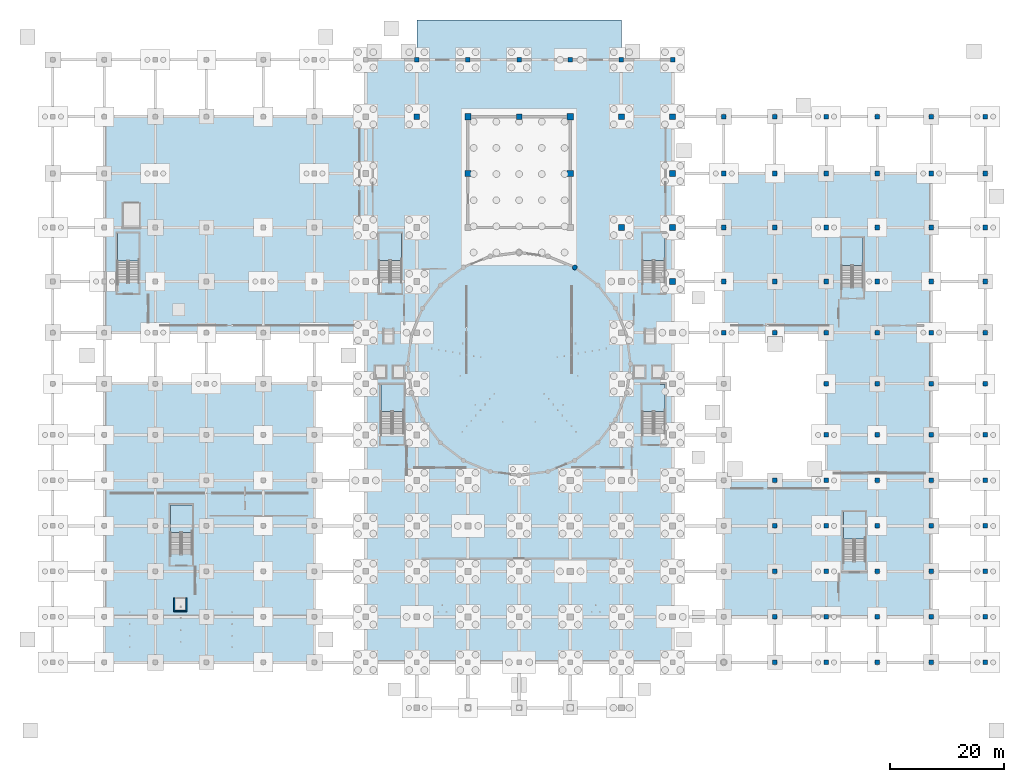
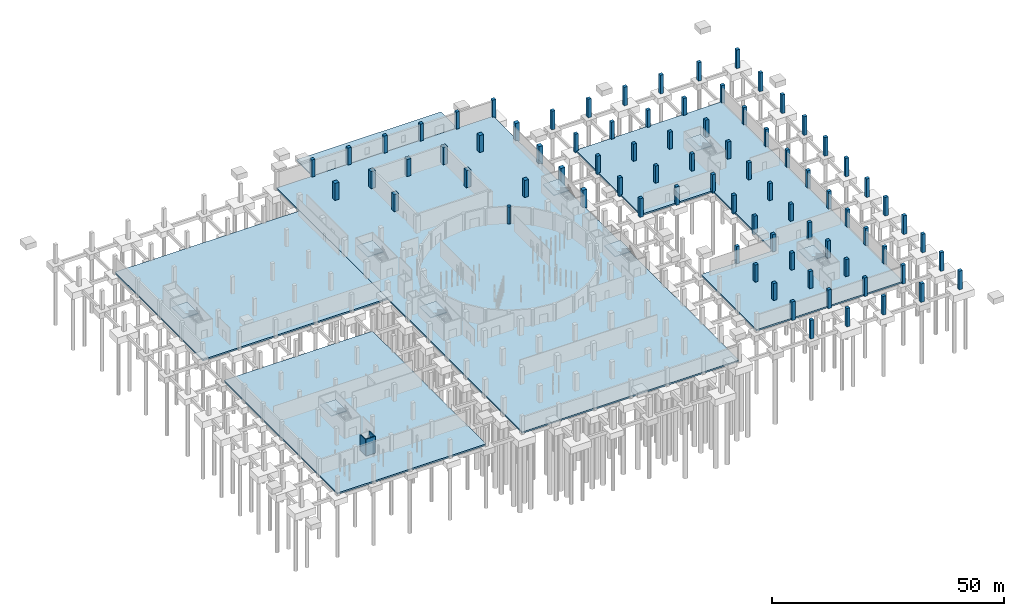
# One storey, part 26 of 40: 82 columns, 13 slabs, 3 walls, 8 elements without a shape of their own.
"""IFC4 building model written with IfcOpenShell, lengths in metres."""

from ifc_helpers import new_model, si_unit, direction, frame, frame_2d, origin, origin_2d, place, context, subcontext, project, spatial, polyline, rectangle, circle, outline, extrude, material, layer, layer_set, material_profile, profile_set, type_object, element, aggregate, save


model = new_model("IFC4")

# Units and contexts
model_context = context("Model", 3, precision=1e-05, world=origin(), true_north=direction((0.0, 1.0)))
body_context = subcontext(model_context, "Body", "Model", "MODEL_VIEW")
ifc_project = project(units=[si_unit("LENGTHUNIT", "METRE"), si_unit("AREAUNIT", "SQUARE_METRE"), si_unit("VOLUMEUNIT", "CUBIC_METRE"), si_unit("PLANEANGLEUNIT", "RADIAN"), si_unit("MASSUNIT", "GRAM", prefix="KILO")], contexts=[model_context])

# Site, building, storey
site_placement = place(None, origin())
site = spatial("IfcSite", under=ifc_project, at=site_placement, CompositionType="ELEMENT")
building_placement = place(site_placement, origin())
building = spatial("IfcBuilding", under=site, at=building_placement, Name="Marnock Terrace Opera House", CompositionType="ELEMENT")
storey_placement = place(building_placement, frame((0.0, 0.0, -4.800048828125)))
storey = spatial("IfcBuildingStorey", under=building, at=storey_placement, Name="B1", CompositionType="ELEMENT", Elevation=-4.800048828125)

# Columns
ifc_material_1 = material(Name="Concrete N50 (f'c = 50 MPa)", Category="concrete")
ifc_material_profile_1 = material_profile(ifc_material_1, circle(Radius=0.425048828125, at=origin_2d()))
ifc_profile_set_1 = profile_set([ifc_material_profile_1], Name="Concrete N50 (f'c = 50 MPa)")
column_type_1 = type_object("IfcColumnType", Name="COL-DRUM-850", PredefinedType="COLUMN", material=ifc_profile_set_1)
column_placement = place(storey_placement, frame((91.800048828125, 77.47412109375, -0.39990234375), z_axis=(0.0, 0.0, 1.0), x_axis=(1.0, 0.0, 0.0)))
element("IfcColumn", 1, at=column_placement, inside=storey, type_object=column_type_1, Name="B1 auditorium drum pier 5", PredefinedType="COLUMN", context=body_context, shape_type="SweptSolid", body=[
    extrude(circle(Radius=0.425048828125, at=origin_2d()), origin(), (0.0, 0.0, 1.0), 4.89990234375),
])
ifc_material_profile_2 = material_profile(ifc_material_1, rectangle(XDim=1.0, YDim=1.0, at=origin_2d()))
ifc_profile_set_2 = profile_set([ifc_material_profile_2], Name="Concrete N50 (f'c = 50 MPa)")
column_type_2 = type_object("IfcColumnType", Name="COL-RC1000", PredefinedType="COLUMN", material=ifc_profile_set_2)
for number, where, z_axis, x_axis, name in (
    (2, (64.0, 104.0, -0.39990234375), (0.0, 0.0, 1.0), (1.0, 0.0, 0.0), "B1 column at (64.0, 104.0)"),
    (3, (82.0, 104.0, -0.39990234375), (0.0, 0.0, 1.0), (1.0, 0.0, 0.0), "B1 column at (82.0, 104.0)"),
    (4, (100.0, 84.5, -0.39990234375), (0.0, 0.0, 1.0), (1.0, 0.0, 0.0), "B1 column at (100.0, 84.5)"),
    (5, (100.0, 104.0, -0.39990234375), (0.0, 0.0, 1.0), (1.0, 0.0, 0.0), "B1 column at (100.0, 104.0)"),
    (6, (109.0, 75.0, -0.39990234375), (0.0, 0.0, 1.0), (1.0, 0.0, 0.0), "B1 column at (109.0, 75.0)"),
    (7, (109.0, 84.5, -0.39990234375), (0.0, 0.0, 1.0), (1.0, 0.0, 0.0), "B1 column at (109.0, 84.5)"),
    (8, (109.0, 94.0, -0.39990234375), (0.0, 0.0, 1.0), (1.0, 0.0, 0.0), "B1 column at (109.0, 94.0)"),
    (9, (109.0, 104.0, -0.39990234375), (0.0, 0.0, 1.0), (1.0, 0.0, 0.0), "B1 column at (109.0, 104.0)"),
):
    element("IfcColumn", number, at=place(storey_placement, frame(where, z_axis=z_axis, x_axis=x_axis)), inside=storey, type_object=column_type_2, Name=name, PredefinedType="COLUMN", context=body_context, shape_type="SweptSolid", body=[
        extrude(rectangle(XDim=1.0, YDim=1.0, at=origin_2d()), origin(), (0.0, 0.0, 1.0), 4.89990234375),
    ])
ifc_material_profile_3 = material_profile(ifc_material_1, rectangle(XDim=1.10009765625, YDim=1.10009765625, at=origin_2d()))
ifc_profile_set_3 = profile_set([ifc_material_profile_3], Name="Concrete N50 (f'c = 50 MPa)")
column_type_3 = type_object("IfcColumnType", Name="COL-RC1100", PredefinedType="COLUMN", material=ifc_profile_set_3)
for number, where, z_axis, x_axis, name in (
    (10, (73.0, 94.0, -0.39990234375), (0.0, 0.0, 1.0), (1.0, 0.0, 0.0), "B1 column at (73.0, 94.0)"),
    (11, (73.0, 104.0, -0.39990234375), (0.0, 0.0, 1.0), (1.0, 0.0, 0.0), "B1 column at (73.0, 104.0)"),
    (12, (91.0, 94.0, -0.39990234375), (0.0, 0.0, 1.0), (1.0, 0.0, 0.0), "B1 column at (91.0, 94.0)"),
    (13, (91.0, 104.0, -0.39990234375), (0.0, 0.0, 1.0), (1.0, 0.0, 0.0), "B1 column at (91.0, 104.0)"),
):
    element("IfcColumn", number, at=place(storey_placement, frame(where, z_axis=z_axis, x_axis=x_axis)), inside=storey, type_object=column_type_3, Name=name, PredefinedType="COLUMN", context=body_context, shape_type="SweptSolid", body=[
        extrude(rectangle(XDim=1.10009765625, YDim=1.10009765625, at=origin_2d()), origin(), (0.0, 0.0, 1.0), 4.89990234375),
    ])
ifc_material_profile_4 = material_profile(ifc_material_1, rectangle(XDim=0.800048828125, YDim=0.800048828125, at=origin_2d()))
ifc_profile_set_4 = profile_set([ifc_material_profile_4], Name="Concrete N50 (f'c = 50 MPa)")
column_type_4 = type_object("IfcColumnType", Name="COL-RC800", PredefinedType="COLUMN", material=ifc_profile_set_4)
for number, where, z_axis, x_axis, name in (
    (14, (64.0, 114.0, -0.39990234375), (0.0, 0.0, 1.0), (1.0, 0.0, 0.0), "B1 column at (64.0, 114.0)"),
    (15, (73.0, 114.0, -0.39990234375), (0.0, 0.0, 1.0), (1.0, 0.0, 0.0), "B1 column at (73.0, 114.0)"),
    (16, (82.0, 114.0, -0.39990234375), (0.0, 0.0, 1.0), (1.0, 0.0, 0.0), "B1 column at (82.0, 114.0)"),
    (17, (91.0, 114.0, -0.39990234375), (0.0, 0.0, 1.0), (1.0, 0.0, 0.0), "B1 column at (91.0, 114.0)"),
    (18, (100.0, 114.0, -0.39990234375), (0.0, 0.0, 1.0), (1.0, 0.0, 0.0), "B1 column at (100.0, 114.0)"),
    (19, (109.0, 114.0, -0.39990234375), (0.0, 0.0, 1.0), (1.0, 0.0, 0.0), "B1 column at (109.0, 114.0)"),
    (20, (118.0, 66.0, -0.39990234375), (0.0, 0.0, 1.0), (1.0, 0.0, 0.0), "B1 column at (118.0, 66.0)"),
    (21, (118.0, 75.0, -0.39990234375), (0.0, 0.0, 1.0), (1.0, 0.0, 0.0), "B1 column at (118.0, 75.0)"),
    (22, (118.0, 84.5, -0.39990234375), (0.0, 0.0, 1.0), (1.0, 0.0, 0.0), "B1 column at (118.0, 84.5)"),
    (23, (118.0, 94.0, -0.39990234375), (0.0, 0.0, 1.0), (1.0, 0.0, 0.0), "B1 column at (118.0, 94.0)"),
    (24, (118.0, 104.0, -0.39990234375), (0.0, 0.0, 1.0), (1.0, 0.0, 0.0), "B1 column at (118.0, 104.0)"),
    (25, (127.0, 8.0, -0.39990234375), (0.0, 0.0, 1.0), (1.0, 0.0, 0.0), "B1 column at (127.0, 8.0)"),
    (26, (127.0, 16.0, -0.39990234375), (0.0, 0.0, 1.0), (1.0, 0.0, 0.0), "B1 column at (127.0, 16.0)"),
    (27, (127.0, 24.0, -0.39990234375), (0.0, 0.0, 1.0), (1.0, 0.0, 0.0), "B1 column at (127.0, 24.0)"),
    (28, (127.0, 32.0, -0.39990234375), (0.0, 0.0, 1.0), (1.0, 0.0, 0.0), "B1 column at (127.0, 32.0)"),
    (29, (127.0, 40.0, -0.39990234375), (0.0, 0.0, 1.0), (1.0, 0.0, 0.0), "B1 column at (127.0, 40.0)"),
    (30, (127.0, 66.0, -0.39990234375), (0.0, 0.0, 1.0), (1.0, 0.0, 0.0), "B1 column at (127.0, 66.0)"),
    (31, (127.0, 75.0, -0.39990234375), (0.0, 0.0, 1.0), (1.0, 0.0, 0.0), "B1 column at (127.0, 75.0)"),
    (32, (127.0, 84.5, -0.39990234375), (0.0, 0.0, 1.0), (1.0, 0.0, 0.0), "B1 column at (127.0, 84.5)"),
    (33, (127.0, 94.0, -0.39990234375), (0.0, 0.0, 1.0), (1.0, 0.0, 0.0), "B1 column at (127.0, 94.0)"),
    (34, (127.0, 104.0, -0.39990234375), (0.0, 0.0, 1.0), (1.0, 0.0, 0.0), "B1 column at (127.0, 104.0)"),
    (35, (136.0, 8.0, -0.39990234375), (0.0, 0.0, 1.0), (1.0, 0.0, 0.0), "B1 column at (136.0, 8.0)"),
    (36, (136.0, 16.0, -0.39990234375), (0.0, 0.0, 1.0), (1.0, 0.0, 0.0), "B1 column at (136.0, 16.0)"),
    (37, (136.0, 24.0, -0.39990234375), (0.0, 0.0, 1.0), (1.0, 0.0, 0.0), "B1 column at (136.0, 24.0)"),
    (38, (136.0, 32.0, -0.39990234375), (0.0, 0.0, 1.0), (1.0, 0.0, 0.0), "B1 column at (136.0, 32.0)"),
    (39, (136.0, 40.0, -0.39990234375), (0.0, 0.0, 1.0), (1.0, 0.0, 0.0), "B1 column at (136.0, 40.0)"),
    (40, (136.0, 48.0, -0.39990234375), (0.0, 0.0, 1.0), (1.0, 0.0, 0.0), "B1 column at (136.0, 48.0)"),
    (41, (136.0, 57.0, -0.39990234375), (0.0, 0.0, 1.0), (1.0, 0.0, 0.0), "B1 column at (136.0, 57.0)"),
    (42, (136.0, 66.0, -0.39990234375), (0.0, 0.0, 1.0), (1.0, 0.0, 0.0), "B1 column at (136.0, 66.0)"),
    (43, (136.0, 75.0, -0.39990234375), (0.0, 0.0, 1.0), (1.0, 0.0, 0.0), "B1 column at (136.0, 75.0)"),
    (44, (136.0, 84.5, -0.39990234375), (0.0, 0.0, 1.0), (1.0, 0.0, 0.0), "B1 column at (136.0, 84.5)"),
    (45, (136.0, 94.0, -0.39990234375), (0.0, 0.0, 1.0), (1.0, 0.0, 0.0), "B1 column at (136.0, 94.0)"),
    (46, (136.0, 104.0, -0.39990234375), (0.0, 0.0, 1.0), (1.0, 0.0, 0.0), "B1 column at (136.0, 104.0)"),
    (47, (145.0, 8.0, -0.39990234375), (0.0, 0.0, 1.0), (1.0, 0.0, 0.0), "B1 column at (145.0, 8.0)"),
    (48, (145.0, 16.0, -0.39990234375), (0.0, 0.0, 1.0), (1.0, 0.0, 0.0), "B1 column at (145.0, 16.0)"),
    (49, (145.0, 24.0, -0.39990234375), (0.0, 0.0, 1.0), (1.0, 0.0, 0.0), "B1 column at (145.0, 24.0)"),
    (50, (145.0, 32.0, -0.39990234375), (0.0, 0.0, 1.0), (1.0, 0.0, 0.0), "B1 column at (145.0, 32.0)"),
    (51, (145.0, 40.0, -0.39990234375), (0.0, 0.0, 1.0), (1.0, 0.0, 0.0), "B1 column at (145.0, 40.0)"),
    (52, (145.0, 48.0, -0.39990234375), (0.0, 0.0, 1.0), (1.0, 0.0, 0.0), "B1 column at (145.0, 48.0)"),
    (53, (145.0, 57.0, -0.39990234375), (0.0, 0.0, 1.0), (1.0, 0.0, 0.0), "B1 column at (145.0, 57.0)"),
    (54, (145.0, 66.0, -0.39990234375), (0.0, 0.0, 1.0), (1.0, 0.0, 0.0), "B1 column at (145.0, 66.0)"),
    (55, (145.0, 75.0, -0.39990234375), (0.0, 0.0, 1.0), (1.0, 0.0, 0.0), "B1 column at (145.0, 75.0)"),
    (56, (145.0, 84.5, -0.39990234375), (0.0, 0.0, 1.0), (1.0, 0.0, 0.0), "B1 column at (145.0, 84.5)"),
    (57, (145.0, 94.0, -0.39990234375), (0.0, 0.0, 1.0), (1.0, 0.0, 0.0), "B1 column at (145.0, 94.0)"),
    (58, (145.0, 104.0, -0.39990234375), (0.0, 0.0, 1.0), (1.0, 0.0, 0.0), "B1 column at (145.0, 104.0)"),
    (59, (154.5, 8.0, -0.39990234375), (0.0, 0.0, 1.0), (1.0, 0.0, 0.0), "B1 column at (154.5, 8.0)"),
    (60, (154.5, 16.0, -0.39990234375), (0.0, 0.0, 1.0), (1.0, 0.0, 0.0), "B1 column at (154.5, 16.0)"),
    (61, (154.5, 24.0, -0.39990234375), (0.0, 0.0, 1.0), (1.0, 0.0, 0.0), "B1 column at (154.5, 24.0)"),
    (62, (154.5, 32.0, -0.39990234375), (0.0, 0.0, 1.0), (1.0, 0.0, 0.0), "B1 column at (154.5, 32.0)"),
    (63, (154.5, 40.0, -0.39990234375), (0.0, 0.0, 1.0), (1.0, 0.0, 0.0), "B1 column at (154.5, 40.0)"),
    (64, (154.5, 48.0, -0.39990234375), (0.0, 0.0, 1.0), (1.0, 0.0, 0.0), "B1 column at (154.5, 48.0)"),
    (65, (154.5, 57.0, -0.39990234375), (0.0, 0.0, 1.0), (1.0, 0.0, 0.0), "B1 column at (154.5, 57.0)"),
    (66, (154.5, 66.0, -0.39990234375), (0.0, 0.0, 1.0), (1.0, 0.0, 0.0), "B1 column at (154.5, 66.0)"),
    (67, (154.5, 75.0, -0.39990234375), (0.0, 0.0, 1.0), (1.0, 0.0, 0.0), "B1 column at (154.5, 75.0)"),
    (68, (154.5, 84.5, -0.39990234375), (0.0, 0.0, 1.0), (1.0, 0.0, 0.0), "B1 column at (154.5, 84.5)"),
    (69, (154.5, 94.0, -0.39990234375), (0.0, 0.0, 1.0), (1.0, 0.0, 0.0), "B1 column at (154.5, 94.0)"),
    (70, (154.5, 104.0, -0.39990234375), (0.0, 0.0, 1.0), (1.0, 0.0, 0.0), "B1 column at (154.5, 104.0)"),
    (71, (164.0, 8.0, -0.39990234375), (0.0, 0.0, 1.0), (1.0, 0.0, 0.0), "B1 column at (164.0, 8.0)"),
    (72, (164.0, 16.0, -0.39990234375), (0.0, 0.0, 1.0), (1.0, 0.0, 0.0), "B1 column at (164.0, 16.0)"),
    (73, (164.0, 24.0, -0.39990234375), (0.0, 0.0, 1.0), (1.0, 0.0, 0.0), "B1 column at (164.0, 24.0)"),
    (74, (164.0, 32.0, -0.39990234375), (0.0, 0.0, 1.0), (1.0, 0.0, 0.0), "B1 column at (164.0, 32.0)"),
    (75, (164.0, 40.0, -0.39990234375), (0.0, 0.0, 1.0), (1.0, 0.0, 0.0), "B1 column at (164.0, 40.0)"),
    (76, (164.0, 48.0, -0.39990234375), (0.0, 0.0, 1.0), (1.0, 0.0, 0.0), "B1 column at (164.0, 48.0)"),
    (77, (164.0, 57.0, -0.39990234375), (0.0, 0.0, 1.0), (1.0, 0.0, 0.0), "B1 column at (164.0, 57.0)"),
    (78, (164.0, 66.0, -0.39990234375), (0.0, 0.0, 1.0), (1.0, 0.0, 0.0), "B1 column at (164.0, 66.0)"),
    (79, (164.0, 75.0, -0.39990234375), (0.0, 0.0, 1.0), (1.0, 0.0, 0.0), "B1 column at (164.0, 75.0)"),
    (80, (164.0, 84.5, -0.39990234375), (0.0, 0.0, 1.0), (1.0, 0.0, 0.0), "B1 column at (164.0, 84.5)"),
    (81, (164.0, 94.0, -0.39990234375), (0.0, 0.0, 1.0), (1.0, 0.0, 0.0), "B1 column at (164.0, 94.0)"),
    (82, (164.0, 104.0, -0.39990234375), (0.0, 0.0, 1.0), (1.0, 0.0, 0.0), "B1 column at (164.0, 104.0)"),
):
    element("IfcColumn", number, at=place(storey_placement, frame(where, z_axis=z_axis, x_axis=x_axis)), inside=storey, type_object=column_type_4, Name=name, PredefinedType="COLUMN", context=body_context, shape_type="SweptSolid", body=[
        extrude(rectangle(XDim=0.800048828125, YDim=0.800048828125, at=origin_2d()), origin(), (0.0, 0.0, 1.0), 4.89990234375),
    ])

# Slabs
ifc_material_2 = material(Name="Concrete N32 (f'c = 32 MPa)", Category="concrete")
ifc_layer_1 = layer(ifc_material_2, 0.239990234375)
ifc_layer_set_1 = layer_set([ifc_layer_1], Name="Concrete N32 (f'c = 32 MPa)")
slab_type_1 = type_object("IfcSlabType", Name="SL-APRON-240", PredefinedType="BASESLAB", material=ifc_layer_set_1)
slab_1_placement = place(storey_placement, frame((0.0, 0.0, -0.239990234375)))
element("IfcSlab", 83, at=slab_1_placement, inside=storey, type_object=slab_type_1, Name="North parklands sunken lower promenade court", PredefinedType="BASESLAB", context=body_context, shape_type="SweptSolid", body=[
    extrude(outline(polyline([(64.0, 114.0), (100.0, 114.0), (100.0, 121.0), (64.0, 121.0), (64.0, 114.0)])), origin(), (0.0, 0.0, 1.0), 0.239990234375),
])
ifc_layer_2 = layer(ifc_material_2, 0.39990234375)
ifc_layer_set_2 = layer_set([ifc_layer_2], Name="Concrete N32 (f'c = 32 MPa)")
slab_type_2 = type_object("IfcSlabType", Name="SL-BASE-400", PredefinedType="BASESLAB", material=ifc_layer_set_2)
slab_2_placement = place(storey_placement, frame((0.0, 0.0, -0.39990234375)))
element("IfcSlab", 84, at=slab_2_placement, inside=storey, type_object=slab_type_2, Name="Basement B1 structural base slab SL-B1-V12", PredefinedType="BASESLAB", context=body_context, shape_type="SweptSolid", body=[
    extrude(outline(polyline([(55.0, 8.0), (109.0, 8.0), (109.0, 114.0), (55.0, 114.0), (55.0, 8.0)])), origin(), (0.0, 0.0, 1.0), 0.39990234375),
])
slab_3_placement = place(storey_placement, frame((0.0, 0.0, -0.39990234375)))
element("IfcSlab", 85, at=slab_3_placement, inside=storey, type_object=slab_type_2, Name="Basement B1 structural base slab SL-B1-V3", PredefinedType="BASESLAB", context=body_context, shape_type="SweptSolid", body=[
    extrude(outline(polyline([(9.0, 8.0), (46.0, 8.0), (46.0, 57.0), (9.0, 57.0), (9.0, 8.0)])), origin(), (0.0, 0.0, 1.0), 0.39990234375),
])
slab_4_placement = place(storey_placement, frame((0.0, 0.0, -0.39990234375)))
element("IfcSlab", 86, at=slab_4_placement, inside=storey, type_object=slab_type_2, Name="Basement B1 structural base slab SL-B1-V4", PredefinedType="BASESLAB", context=body_context, shape_type="SweptSolid", body=[
    extrude(outline(polyline([(9.0, 66.0), (55.0, 66.0), (55.0, 104.0), (9.0, 104.0), (9.0, 66.0)])), origin(), (0.0, 0.0, 1.0), 0.39990234375),
])
slab_5_placement = place(storey_placement, frame((0.0, 0.0, -0.39990234375)))
element("IfcSlab", 87, at=slab_5_placement, inside=storey, type_object=slab_type_2, Name="Basement B1 structural base slab SL-B1-V5", PredefinedType="BASESLAB", context=body_context, shape_type="SweptSolid", body=[
    extrude(outline(polyline([(118.0, 16.0), (154.5, 16.0), (154.5, 94.0), (118.0, 94.0), (118.0, 66.0), (136.0, 66.0), (136.0, 40.0), (118.0, 40.0), (118.0, 16.0)])), origin(), (0.0, 0.0, 1.0), 0.39990234375),
])

# Stair, slab
ifc_material_3 = material(Name="Concrete N40 (f'c = 40 MPa)", Category="concrete")
stair_type_1 = type_object("IfcStairType", Name="ST-TYPE-2600", PredefinedType="HALF_TURN_STAIR", material=ifc_material_3)
stair_1_placement = place(storey_placement, origin())
stair_1 = element("IfcStair", 88, at=stair_1_placement, inside=storey, type_object=stair_type_1, Name="B1 ST-01", PredefinedType="HALF_TURN_STAIR")
ifc_layer_3 = layer(ifc_material_2, 0.199951171875)
ifc_layer_set_3 = layer_set([ifc_layer_3], Name="Concrete N32 (f'c = 32 MPa)")
slab_type_3 = type_object("IfcSlabType", Name="SL-LAND-200", PredefinedType="LANDING", material=ifc_layer_set_3)
slab_6_placement = place(storey_placement, frame((0.0, 0.0, 2.199951171875)))
slab_6 = element("IfcSlab", 89, at=slab_6_placement, type_object=slab_type_3, Name="ST-01 landing 1", PredefinedType="LANDING", context=body_context, shape_type="SweptSolid", body=[
    extrude(outline(polyline([(61.719970703125, 52.139892578125), (61.719970703125, 56.919921875), (57.679931640625, 56.919921875), (57.679931640625, 52.139892578125), (61.719970703125, 52.139892578125)])), origin(), (0.0, 0.0, 1.0), 0.2001953125),
])
aggregate(stair_1, [slab_6])

stair_2_placement = place(storey_placement, origin())
stair_2 = element("IfcStair", 90, at=stair_2_placement, inside=storey, type_object=stair_type_1, Name="B1 ST-02", PredefinedType="HALF_TURN_STAIR")
slab_7_placement = place(storey_placement, frame((0.0, 0.0, 2.199951171875)))
slab_7 = element("IfcSlab", 91, at=slab_7_placement, type_object=slab_type_3, Name="ST-02 landing 1", PredefinedType="LANDING", context=body_context, shape_type="SweptSolid", body=[
    extrude(outline(polyline([(107.679931640625, 52.139892578125), (107.679931640625, 56.919921875), (103.639892578125, 56.919921875), (103.639892578125, 52.139892578125), (107.679931640625, 52.139892578125)])), origin(), (0.0, 0.0, 1.0), 0.2001953125),
])
aggregate(stair_2, [slab_7])

stair_type_2 = type_object("IfcStairType", Name="ST-TYPE-2400", PredefinedType="HALF_TURN_STAIR", material=ifc_material_3)
stair_3_placement = place(storey_placement, origin())
stair_3 = element("IfcStair", 92, at=stair_3_placement, inside=storey, type_object=stair_type_2, Name="B1 ST-03", PredefinedType="HALF_TURN_STAIR")
slab_8_placement = place(storey_placement, frame((0.0, 0.0, 2.199951171875)))
slab_8 = element("IfcSlab", 93, at=slab_8_placement, type_object=slab_type_3, Name="ST-03 landing 1", PredefinedType="LANDING", context=body_context, shape_type="SweptSolid", body=[
    extrude(outline(polyline([(61.320068359375, 78.699951171875), (61.320068359375, 83.52001953125), (57.360107421875, 83.52001953125), (57.360107421875, 78.699951171875), (61.320068359375, 78.699951171875)])), origin(), (0.0, 0.0, 1.0), 0.2001953125),
])
aggregate(stair_3, [slab_8])

stair_4_placement = place(storey_placement, origin())
stair_4 = element("IfcStair", 94, at=stair_4_placement, inside=storey, type_object=stair_type_2, Name="B1 ST-04", PredefinedType="HALF_TURN_STAIR")
slab_9_placement = place(storey_placement, frame((0.0, 0.0, 2.199951171875)))
slab_9 = element("IfcSlab", 95, at=slab_9_placement, type_object=slab_type_3, Name="ST-04 landing 1", PredefinedType="LANDING", context=body_context, shape_type="SweptSolid", body=[
    extrude(outline(polyline([(107.679931640625, 78.699951171875), (107.679931640625, 83.52001953125), (103.719970703125, 83.52001953125), (103.719970703125, 78.699951171875), (107.679931640625, 78.699951171875)])), origin(), (0.0, 0.0, 1.0), 0.2001953125),
])
aggregate(stair_4, [slab_9])

stair_type_3 = type_object("IfcStairType", Name="ST-TYPE-2200", PredefinedType="HALF_TURN_STAIR", material=ifc_material_3)
stair_5_placement = place(storey_placement, origin())
stair_5 = element("IfcStair", 96, at=stair_5_placement, inside=storey, type_object=stair_type_3, Name="B1 ST-05", PredefinedType="HALF_TURN_STAIR")
slab_10_placement = place(storey_placement, frame((0.0, 0.0, 2.199951171875)))
slab_10 = element("IfcSlab", 97, at=slab_10_placement, type_object=slab_type_3, Name="ST-05 landing 1", PredefinedType="LANDING", context=body_context, shape_type="SweptSolid", body=[
    extrude(outline(polyline([(24.52001953125, 30.860107421875), (24.52001953125, 35.719970703125), (20.639892578125, 35.719970703125), (20.639892578125, 30.860107421875), (24.52001953125, 30.860107421875)])), origin(), (0.0, 0.0, 1.0), 0.2001953125),
])
aggregate(stair_5, [slab_10])

stair_6_placement = place(storey_placement, origin())
stair_6 = element("IfcStair", 98, at=stair_6_placement, inside=storey, type_object=stair_type_3, Name="B1 ST-06", PredefinedType="HALF_TURN_STAIR")
slab_11_placement = place(storey_placement, frame((0.0, 0.0, 2.199951171875)))
slab_11 = element("IfcSlab", 99, at=slab_11_placement, type_object=slab_type_3, Name="ST-06 landing 1", PredefinedType="LANDING", context=body_context, shape_type="SweptSolid", body=[
    extrude(outline(polyline([(142.919921875, 29.659912109375), (142.919921875, 34.52001953125), (139.0400390625, 34.52001953125), (139.0400390625, 29.659912109375), (142.919921875, 29.659912109375)])), origin(), (0.0, 0.0, 1.0), 0.2001953125),
])
aggregate(stair_6, [slab_11])

stair_type_4 = type_object("IfcStairType", Name="ST-TYPE-2000", PredefinedType="HALF_TURN_STAIR", material=ifc_material_3)
stair_7_placement = place(storey_placement, origin())
stair_7 = element("IfcStair", 100, at=stair_7_placement, inside=storey, type_object=stair_type_4, Name="B1 ST-07", PredefinedType="HALF_TURN_STAIR")
slab_12_placement = place(storey_placement, frame((0.0, 0.0, 2.199951171875)))
slab_12 = element("IfcSlab", 101, at=slab_12_placement, type_object=slab_type_3, Name="ST-07 landing 1", PredefinedType="LANDING", context=body_context, shape_type="SweptSolid", body=[
    extrude(outline(polyline([(15.1201171875, 78.6201171875), (15.1201171875, 83.52001953125), (11.320068359375, 83.52001953125), (11.320068359375, 78.6201171875), (15.1201171875, 78.6201171875)])), origin(), (0.0, 0.0, 1.0), 0.2001953125),
])
aggregate(stair_7, [slab_12])

stair_8_placement = place(storey_placement, origin())
stair_8 = element("IfcStair", 102, at=stair_8_placement, inside=storey, type_object=stair_type_4, Name="B1 ST-08", PredefinedType="HALF_TURN_STAIR")
slab_13_placement = place(storey_placement, frame((0.0, 0.0, 2.199951171875)))
slab_13 = element("IfcSlab", 103, at=slab_13_placement, type_object=slab_type_3, Name="ST-08 landing 1", PredefinedType="LANDING", context=body_context, shape_type="SweptSolid", body=[
    extrude(outline(polyline([(142.52001953125, 77.820068359375), (142.52001953125, 82.719970703125), (138.719970703125, 82.719970703125), (138.719970703125, 77.820068359375), (142.52001953125, 77.820068359375)])), origin(), (0.0, 0.0, 1.0), 0.2001953125),
])
aggregate(stair_8, [slab_13])

# Walls
ifc_material_4 = material(Name="Rendered acoustic concrete blockwork", Category="masonry")
ifc_layer_4 = layer(ifc_material_4, 0.22509765625)
ifc_layer_set_4 = layer_set([ifc_layer_4], Name="Rendered acoustic concrete blockwork")
wall_type = type_object("IfcWallType", Name="IW-SHAFT-225", PredefinedType="SOLIDWALL", material=ifc_layer_set_4)
wall_1_placement = place(storey_placement, frame((21.2275390625, 17.0400390625, 0.0), z_axis=(0.0, 0.0, 1.0), x_axis=(1.0, 0.0, 0.0)))
element("IfcWall", 104, at=wall_1_placement, inside=storey, type_object=wall_type, Name="B1 Lift PL-05 rear shaft wall", PredefinedType="SOLIDWALL", context=body_context, shape_type="SweptSolid", body=[
    extrude(rectangle(XDim=2.344970703125, YDim=0.22509765625, at=frame_2d((1.17236328125, 0.0))), origin(), (0.0, 0.0, 1.0), 4.449951171875),
])
wall_2_placement = place(storey_placement, frame((21.340087890625, 17.0400390625, 0.0), z_axis=(0.0, 0.0, 1.0), x_axis=(0.0, 1.0, 0.0)))
element("IfcWall", 105, at=wall_2_placement, inside=storey, type_object=wall_type, Name="B1 Lift PL-05 west shaft wall", PredefinedType="SOLIDWALL", context=body_context, shape_type="SweptSolid", body=[
    extrude(rectangle(XDim=2.320068359375, YDim=0.22509765625, at=frame_2d((1.16015625, 0.0))), origin(), (0.0, 0.0, 1.0), 4.2138671875),
])
wall_3_placement = place(storey_placement, frame((23.4599609375, 17.0400390625, 0.0), z_axis=(0.0, 0.0, 1.0), x_axis=(0.0, 1.0, 0.0)))
element("IfcWall", 106, at=wall_3_placement, inside=storey, type_object=wall_type, Name="B1 Lift PL-05 east shaft wall", PredefinedType="SOLIDWALL", context=body_context, shape_type="SweptSolid", body=[
    extrude(rectangle(XDim=2.320068359375, YDim=0.22509765625, at=frame_2d((1.16015625, 0.0))), origin(), (0.0, 0.0, 1.0), 4.449951171875),
])

save(model, "model.ifc")
